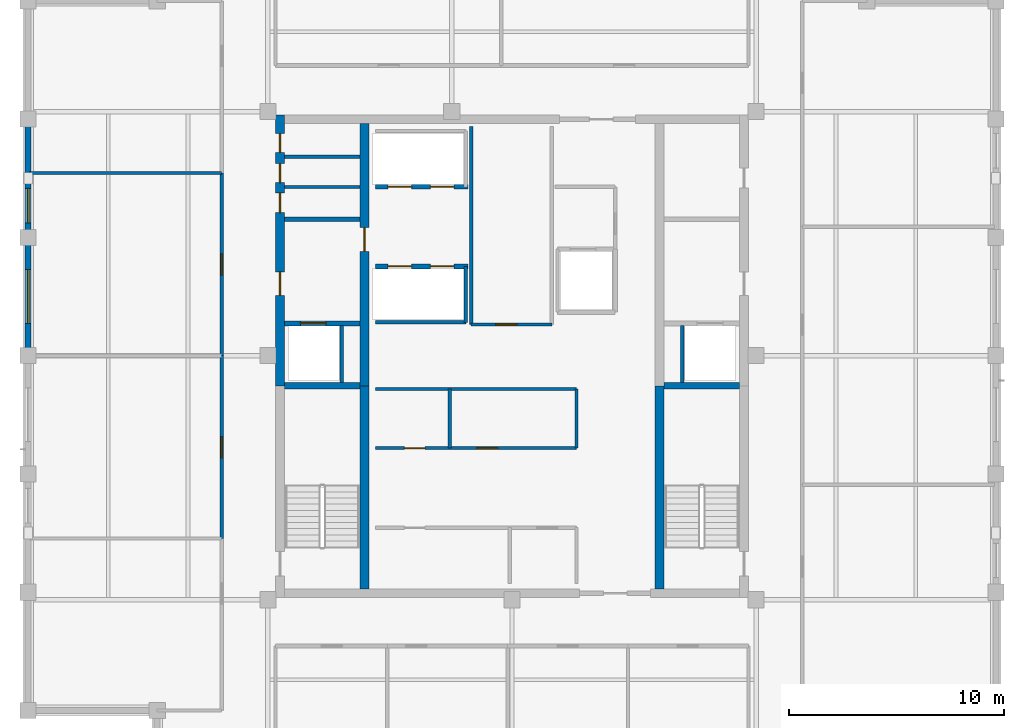
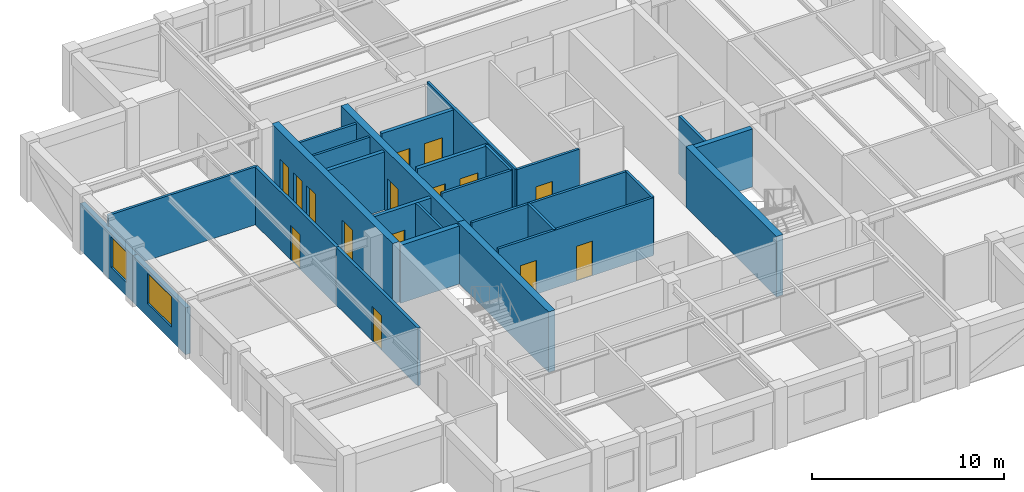
# One storey, part 6 of 9: 27 walls, 15 doors, 2 windows, 17 openings.
"""IFC4 building model written with IfcOpenShell, lengths in metres."""

from ifc_helpers import new_model, si_unit, direction, frame, frame_2d, origin, place, context, subcontext, project, spatial, rectangle, extrude, material, layer, layer_set, type_object, element, fill, save


model = new_model("IFC4")

# Units and contexts
model_context = context("Model", 3, precision=1e-05, world=origin(), true_north=direction((0.0, 1.0)))
body_context = subcontext(model_context, "Body", "Model", "MODEL_VIEW")
ifc_project = project(units=[si_unit("LENGTHUNIT", "METRE"), si_unit("AREAUNIT", "SQUARE_METRE"), si_unit("VOLUMEUNIT", "CUBIC_METRE"), si_unit("PLANEANGLEUNIT", "RADIAN"), si_unit("MASSUNIT", "GRAM", prefix="KILO")], contexts=[model_context])

# Site, building, storey
site_placement = place(None, origin())
site = spatial("IfcSite", under=ifc_project, at=site_placement, CompositionType="ELEMENT")
building_placement = place(site_placement, origin())
building = spatial("IfcBuilding", under=site, at=building_placement, Name="Nhamokura Convention Tower", CompositionType="ELEMENT")
storey_placement = place(building_placement, frame((0.0, 0.0, 269.85009765625)))
storey = spatial("IfcBuildingStorey", under=building, at=storey_placement, Name="L66", CompositionType="ELEMENT", Elevation=269.85009765625)

# Wall
ifc_material_1 = material(Name="Moisture-resistant tile-backer partition", Category="masonry")
ifc_layer_1 = layer(ifc_material_1, 0.139892578125)
ifc_layer_set_1 = layer_set([ifc_layer_1], Name="BathroomWetWall_140")
wall_type_1 = type_object("IfcWallType", Name="BathroomWetWall_140", PredefinedType="STANDARD", material=ifc_layer_set_1)
wall_1_placement = place(storey_placement, frame((21.409912109375, 39.85009765625, 0.0), z_axis=(0.0, 0.0, 1.0), x_axis=(1.0, 0.0, 0.0)))
element("IfcWall", 1, at=wall_1_placement, inside=storey, type_object=wall_type_1, Name="L66 Wall INT-L66-CWNW1", PredefinedType="STANDARD", context=body_context, shape_type="SweptSolid", body=[
    extrude(rectangle(XDim=3.530029296875, YDim=0.139892578125, at=frame_2d((1.76513671875, 0.0))), origin(), (0.0, 0.0, 1.0), 3.684814453125),
])

# Wall, opening, window
ifc_material_2 = material(Name="Bronze-pigmented precast concrete C45/55", Category="concrete")
ifc_layer_2 = layer(ifc_material_2, 0.280029296875)
ifc_layer_set_2 = layer_set([ifc_layer_2], Name="BronzePrecastSpandrel_280")
wall_type_2 = type_object("IfcWallType", Name="BronzePrecastSpandrel_280", PredefinedType="USERDEFINED", material=ifc_layer_set_2)
wall_2_placement = place(storey_placement, frame((9.5, 32.0, 0.0), z_axis=(0.0, 0.0, 1.0), x_axis=(0.0, 1.0, 0.0)))
wall_2 = element("IfcWall", 2, at=wall_2_placement, inside=storey, type_object=wall_type_2, Name="L66 Masonry-Frame Wall WEST 3", ObjectType="SPANDREL_WALL", PredefinedType="USERDEFINED", context=body_context, shape_type="SweptSolid", body=[
    extrude(rectangle(XDim=5.5, YDim=0.280029296875, at=frame_2d((2.75, 0.0))), origin(), (0.0, 0.0, 1.0), 2.98486328125),
])
opening_1_placement = place(wall_2_placement, frame((1.5, 0.0, 0.85009765625)))
opening_1 = element("IfcOpeningElement", 3, at=opening_1_placement, cuts=wall_2, Name="Opening W-09", PredefinedType="OPENING", context=body_context, shape_type="SweptSolid", body=[
    extrude(rectangle(XDim=2.5, YDim=1.93505859375, at=frame_2d((1.25, 0.967529296875))), frame((0.0, 0.14990234375, 0.0), z_axis=(0.0, -1.0, 0.0), x_axis=(1.0, 0.0, 0.0)), (0.0, 0.0, 1.0), 0.300048828125),
])
ifc_material_3 = material(Name="Solar-control bronze low-E double glass", Category="glass")
window_type_1 = type_object("IfcWindowType", Name="SummitWindow_Z4_2500", PartitioningType="DOUBLE_PANEL_VERTICAL", PredefinedType="WINDOW", material=ifc_material_3)
window_1_placement = place(opening_1_placement, origin())
window_1 = element("IfcWindow", 4, at=window_1_placement, inside=storey, type_object=window_type_1, Name="L66 Facade Window WEST 3", OverallHeight=1.93505859375, OverallWidth=2.5, PartitioningType="SINGLE_PANEL", PredefinedType="WINDOW", context=body_context, shape_type="SweptSolid", body=[
    extrude(rectangle(XDim=2.5, YDim=1.93505859375, at=frame_2d((1.25, 0.967529296875))), frame((0.0, 0.030029296875, 0.0), z_axis=(0.0, -1.0, 0.0), x_axis=(1.0, 0.0, 0.0)), (0.0, 0.0, 1.0), 0.06005859375),
])
fill(opening_1, window_1)

wall_3_placement = place(storey_placement, frame((9.5, 37.5, 0.0), z_axis=(0.0, 0.0, 1.0), x_axis=(0.0, 1.0, 0.0)))
wall_3 = element("IfcWall", 5, at=wall_3_placement, inside=storey, type_object=wall_type_2, Name="L66 Masonry-Frame Wall WEST 4", ObjectType="SPANDREL_WALL", PredefinedType="USERDEFINED", context=body_context, shape_type="SweptSolid", body=[
    extrude(rectangle(XDim=5.5, YDim=0.280029296875, at=frame_2d((2.75, 0.0))), origin(), (0.0, 0.0, 1.0), 2.98486328125),
])
opening_2_placement = place(wall_3_placement, frame((0.675048828125, 0.0, 0.85009765625)))
opening_2 = element("IfcOpeningElement", 6, at=opening_2_placement, cuts=wall_3, Name="Opening W-11", PredefinedType="OPENING", context=body_context, shape_type="SweptSolid", body=[
    extrude(rectangle(XDim=1.60009765625, YDim=1.93505859375, at=frame_2d((0.800048828125, 0.967529296875))), frame((0.0, 0.14990234375, 0.0), z_axis=(0.0, -1.0, 0.0), x_axis=(1.0, 0.0, 0.0)), (0.0, 0.0, 1.0), 0.300048828125),
])
ifc_material_4 = material(Name="Solar-control bronze low-E double glass", Category="glass")
window_type_2 = type_object("IfcWindowType", Name="NotchCornerWindow_1600", PartitioningType="SINGLE_PANEL", PredefinedType="WINDOW", material=ifc_material_4)
window_2_placement = place(opening_2_placement, origin())
window_2 = element("IfcWindow", 7, at=window_2_placement, inside=storey, type_object=window_type_2, Name="L66 Facade Window WEST 4-1", OverallHeight=1.93505859375, OverallWidth=1.60009765625, PartitioningType="SINGLE_PANEL", PredefinedType="WINDOW", context=body_context, shape_type="SweptSolid", body=[
    extrude(rectangle(XDim=1.60009765625, YDim=1.93505859375, at=frame_2d((0.800048828125, 0.967529296875))), frame((0.0, 0.030029296875, 0.0), z_axis=(0.0, -1.0, 0.0), x_axis=(1.0, 0.0, 0.0)), (0.0, 0.0, 1.0), 0.06005859375),
])
fill(opening_2, window_2)

# Wall, openings, doors
ifc_material_5 = material(Name="Concrete C50/60", Category="concrete")
ifc_layer_3 = layer(ifc_material_5, 0.39990234375)
ifc_layer_set_3 = layer_set([ifc_layer_3], Name="CoreShearWall_400")
wall_type_3 = type_object("IfcWallType", Name="CoreShearWall_400", PredefinedType="SHEAR", material=ifc_layer_set_3)
wall_4_placement = place(storey_placement, frame((21.2099609375, 30.60009765625, 0.0), z_axis=(0.0, 0.0, 1.0), x_axis=(0.0, 1.0, 0.0)))
wall_4 = element("IfcWall", 8, at=wall_4_placement, inside=storey, type_object=wall_type_3, Name="L66 Core Shear Wall CW-WN", PredefinedType="SHEAR", context=body_context, shape_type="SweptSolid", body=[
    extrude(rectangle(XDim=12.599853515625, YDim=0.39990234375, at=frame_2d((6.2998046875, 0.0))), origin(), (0.0, 0.0, 1.0), 3.849853515625),
])
opening_3_placement = place(wall_4_placement, frame((4.199951171875, 0.0, 0.0)))
opening_3 = element("IfcOpeningElement", 9, at=opening_3_placement, cuts=wall_4, Name="Opening D-05", PredefinedType="OPENING", context=body_context, shape_type="SweptSolid", body=[
    extrude(rectangle(XDim=1.10009765625, YDim=2.14990234375, at=frame_2d((0.550048828125, 1.074951171875))), frame((0.0, 0.2099609375, 0.0), z_axis=(0.0, -1.0, 0.0), x_axis=(1.0, 0.0, 0.0)), (0.0, 0.0, 1.0), 0.419921875),
])
opening_4_placement = place(wall_4_placement, frame((8.050048828125, 0.0, 0.0)))
opening_4 = element("IfcOpeningElement", 10, at=opening_4_placement, cuts=wall_4, Name="Opening D-10", PredefinedType="OPENING", context=body_context, shape_type="SweptSolid", body=[
    extrude(rectangle(XDim=0.919921875, YDim=2.10009765625, at=frame_2d((0.4599609375, 1.050048828125))), frame((0.0, 0.2099609375, 0.0), z_axis=(0.0, -1.0, 0.0), x_axis=(1.0, 0.0, 0.0)), (0.0, 0.0, 1.0), 0.419921875),
])
opening_5_placement = place(wall_4_placement, frame((9.449951171875, 0.0, 0.0)))
opening_5 = element("IfcOpeningElement", 11, at=opening_5_placement, cuts=wall_4, Name="Opening D-11", PredefinedType="OPENING", context=body_context, shape_type="SweptSolid", body=[
    extrude(rectangle(XDim=0.8798828125, YDim=2.10009765625, at=frame_2d((0.43994140625, 1.050048828125))), frame((0.0, 0.2099609375, 0.0), z_axis=(0.0, -1.0, 0.0), x_axis=(1.0, 0.0, 0.0)), (0.0, 0.0, 1.0), 0.419921875),
])
opening_6_placement = place(wall_4_placement, frame((10.85009765625, 0.0, 0.0)))
opening_6 = element("IfcOpeningElement", 12, at=opening_6_placement, cuts=wall_4, Name="Opening D-11", PredefinedType="OPENING", context=body_context, shape_type="SweptSolid", body=[
    extrude(rectangle(XDim=0.8798828125, YDim=2.10009765625, at=frame_2d((0.43994140625, 1.050048828125))), frame((0.0, 0.2099609375, 0.0), z_axis=(0.0, -1.0, 0.0), x_axis=(1.0, 0.0, 0.0)), (0.0, 0.0, 1.0), 0.419921875),
])
ifc_material_6 = material(Name="Solid oak hardwood", Category="wood")
door_type_1 = type_object("IfcDoorType", Name="AccessibleWCDoor_920", OperationType="NOTDEFINED", PredefinedType="DOOR", material=ifc_material_6)
door_1_placement = place(opening_4_placement, origin())
door_1 = element("IfcDoor", 13, at=door_1_placement, inside=storey, type_object=door_type_1, Name="L66 Core Door INT-L66-D-AWC", OperationType="SINGLE_SWING_LEFT", OverallHeight=2.10009765625, OverallWidth=0.919921875, PredefinedType="DOOR", context=body_context, shape_type="SweptSolid", body=[
    extrude(rectangle(XDim=0.919921875, YDim=2.10009765625, at=frame_2d((0.4599609375, 1.050048828125))), frame((0.0, 0.02490234375, 0.0), z_axis=(0.0, -1.0, 0.0), x_axis=(1.0, 0.0, 0.0)), (0.0, 0.0, 1.0), 0.050048828125),
])
fill(opening_4, door_1)
ifc_material_7 = material(Name="Solid oak hardwood", Category="wood")
door_type_2 = type_object("IfcDoorType", Name="BathroomDoor_880", OperationType="NOTDEFINED", PredefinedType="DOOR", material=ifc_material_7)
door_2_placement = place(opening_5_placement, origin())
door_2 = element("IfcDoor", 14, at=door_2_placement, inside=storey, type_object=door_type_2, Name="L66 Core Door INT-L66-D-CLN", OperationType="SINGLE_SWING_RIGHT", OverallHeight=2.10009765625, OverallWidth=0.8798828125, PredefinedType="DOOR", context=body_context, shape_type="SweptSolid", body=[
    extrude(rectangle(XDim=0.8798828125, YDim=2.10009765625, at=frame_2d((0.43994140625, 1.050048828125))), frame((0.0, 0.02490234375, 0.0), z_axis=(0.0, -1.0, 0.0), x_axis=(1.0, 0.0, 0.0)), (0.0, 0.0, 1.0), 0.050048828125),
])
fill(opening_5, door_2)
door_3_placement = place(opening_6_placement, origin())
door_3 = element("IfcDoor", 15, at=door_3_placement, inside=storey, type_object=door_type_2, Name="L66 Core Door INT-L66-D-PNT", OperationType="SINGLE_SWING_LEFT", OverallHeight=2.10009765625, OverallWidth=0.8798828125, PredefinedType="DOOR", context=body_context, shape_type="SweptSolid", body=[
    extrude(rectangle(XDim=0.8798828125, YDim=2.10009765625, at=frame_2d((0.43994140625, 1.050048828125))), frame((0.0, 0.02490234375, 0.0), z_axis=(0.0, -1.0, 0.0), x_axis=(1.0, 0.0, 0.0)), (0.0, 0.0, 1.0), 0.050048828125),
])
fill(opening_6, door_3)
ifc_material_8 = material(Name="Fire-rated steel door", Category="steel")
door_type_3 = type_object("IfcDoorType", Name="FireLobbyDoor_1100", OperationType="NOTDEFINED", PredefinedType="DOOR", material=ifc_material_8)
door_4_placement = place(opening_3_placement, origin())
door_4 = element("IfcDoor", 16, at=door_4_placement, inside=storey, type_object=door_type_3, Name="L66 Core Door INT-L66-D-FFLW", OperationType="SINGLE_SWING_RIGHT", OverallHeight=2.14990234375, OverallWidth=1.10009765625, PredefinedType="DOOR", context=body_context, shape_type="SweptSolid", body=[
    extrude(rectangle(XDim=1.10009765625, YDim=2.14990234375, at=frame_2d((0.550048828125, 1.074951171875))), frame((0.0, 0.02490234375, 0.0), z_axis=(0.0, -1.0, 0.0), x_axis=(1.0, 0.0, 0.0)), (0.0, 0.0, 1.0), 0.050048828125),
])
fill(opening_3, door_4)

# Wall
wall_5_placement = place(storey_placement, frame((25.139892578125, 21.14990234375, 0.0), z_axis=(0.0, 0.0, 1.0), x_axis=(0.0, 1.0, 0.0)))
element("IfcWall", 17, at=wall_5_placement, inside=storey, type_object=wall_type_3, Name="L66 Core Shear Wall CW-IWS", PredefinedType="SHEAR", context=body_context, shape_type="SweptSolid", body=[
    extrude(rectangle(XDim=9.4501953125, YDim=0.39990234375, at=frame_2d((4.72509765625, 0.0))), origin(), (0.0, 0.0, 1.0), 3.849853515625),
])

# Wall, opening, door
wall_6_placement = place(storey_placement, frame((25.139892578125, 30.60009765625, 0.0), z_axis=(0.0, 0.0, 1.0), x_axis=(0.0, 1.0, 0.0)))
wall_6 = element("IfcWall", 18, at=wall_6_placement, inside=storey, type_object=wall_type_3, Name="L66 Core Shear Wall CW-IWN", PredefinedType="SHEAR", context=body_context, shape_type="SweptSolid", body=[
    extrude(rectangle(XDim=12.199951171875, YDim=0.39990234375, at=frame_2d((6.10009765625, 0.0))), origin(), (0.0, 0.0, 1.0), 3.849853515625),
])
opening_7_placement = place(wall_6_placement, frame((6.25, 0.0, 0.0)))
opening_7 = element("IfcOpeningElement", 19, at=opening_7_placement, cuts=wall_6, Name="Opening D-05", PredefinedType="OPENING", context=body_context, shape_type="SweptSolid", body=[
    extrude(rectangle(XDim=1.10009765625, YDim=2.14990234375, at=frame_2d((0.550048828125, 1.074951171875))), frame((0.0, 0.2099609375, 0.0), z_axis=(0.0, -1.0, 0.0), x_axis=(1.0, 0.0, 0.0)), (0.0, 0.0, 1.0), 0.419921875),
])
door_5_placement = place(opening_7_placement, origin())
door_5 = element("IfcDoor", 20, at=door_5_placement, inside=storey, type_object=door_type_3, Name="L66 Core Door INT-L66-D-B3LOB", OperationType="SINGLE_SWING_LEFT", OverallHeight=2.14990234375, OverallWidth=1.10009765625, PredefinedType="DOOR", context=body_context, shape_type="SweptSolid", body=[
    extrude(rectangle(XDim=1.10009765625, YDim=2.14990234375, at=frame_2d((0.550048828125, 1.074951171875))), frame((0.0, 0.02490234375, 0.0), z_axis=(0.0, -1.0, 0.0), x_axis=(1.0, 0.0, 0.0)), (0.0, 0.0, 1.0), 0.050048828125),
])
fill(opening_7, door_5)

# Wall
wall_7_placement = place(storey_placement, frame((38.860107421875, 21.14990234375, 0.0), z_axis=(0.0, 0.0, 1.0), x_axis=(0.0, 1.0, 0.0)))
element("IfcWall", 21, at=wall_7_placement, inside=storey, type_object=wall_type_3, Name="L66 Core Shear Wall CW-IES", PredefinedType="SHEAR", context=body_context, shape_type="SweptSolid", body=[
    extrude(rectangle(XDim=9.4501953125, YDim=0.39990234375, at=frame_2d((4.72509765625, 0.0))), origin(), (0.0, 0.0, 1.0), 3.849853515625),
])

# Wall, opening, door
ifc_material_9 = material(Name="Fire-rated gypsum and masonry partition", Category="masonry")
ifc_layer_4 = layer(ifc_material_9, 0.179931640625)
ifc_layer_set_4 = layer_set([ifc_layer_4], Name="CorridorRatedWall_180")
wall_type_4 = type_object("IfcWallType", Name="CorridorRatedWall_180", PredefinedType="STANDARD", material=ifc_layer_set_4)
wall_8_placement = place(storey_placement, frame((18.5, 23.5, 0.0), z_axis=(0.0, 0.0, 1.0), x_axis=(0.0, 1.0, 0.0)))
wall_8 = element("IfcWall", 22, at=wall_8_placement, inside=storey, type_object=wall_type_4, Name="L66 Wall INT-L66-CW-W01", PredefinedType="STANDARD", context=body_context, shape_type="SweptSolid", body=[
    extrude(rectangle(XDim=8.5, YDim=0.179931640625, at=frame_2d((4.25, 0.0))), origin(), (0.0, 0.0, 1.0), 3.684814453125),
])
opening_8_placement = place(wall_8_placement, frame((3.75, 0.0, 0.0)))
opening_8 = element("IfcOpeningElement", 23, at=opening_8_placement, cuts=wall_8, Name="Opening D-08", PredefinedType="OPENING", context=body_context, shape_type="SweptSolid", body=[
    extrude(rectangle(XDim=0.97998046875, YDim=2.199951171875, at=frame_2d((0.489990234375, 1.10009765625))), frame((0.0, 0.099853515625, 0.0), z_axis=(0.0, -1.0, 0.0), x_axis=(1.0, 0.0, 0.0)), (0.0, 0.0, 1.0), 0.199951171875),
])
ifc_material_10 = material(Name="Solid oak hardwood", Category="wood")
door_type_4 = type_object("IfcDoorType", Name="OfficeEntryDoor_980", OperationType="NOTDEFINED", PredefinedType="DOOR", material=ifc_material_10)
door_6_placement = place(opening_8_placement, origin())
door_6 = element("IfcDoor", 24, at=door_6_placement, inside=storey, type_object=door_type_4, Name="L66 Private Office W02 Door", OperationType="SINGLE_SWING_RIGHT", OverallHeight=2.199951171875, OverallWidth=0.97998046875, PredefinedType="DOOR", context=body_context, shape_type="SweptSolid", body=[
    extrude(rectangle(XDim=0.97998046875, YDim=2.199951171875, at=frame_2d((0.489990234375, 1.10009765625))), frame((0.0, 0.02490234375, 0.0), z_axis=(0.0, -1.0, 0.0), x_axis=(1.0, 0.0, 0.0)), (0.0, 0.0, 1.0), 0.050048828125),
])
fill(opening_8, door_6)

wall_9_placement = place(storey_placement, frame((18.5, 32.0, 0.0), z_axis=(0.0, 0.0, 1.0), x_axis=(0.0, 1.0, 0.0)))
wall_9 = element("IfcWall", 25, at=wall_9_placement, inside=storey, type_object=wall_type_4, Name="L66 Wall INT-L66-CW-W02", PredefinedType="STANDARD", context=body_context, shape_type="SweptSolid", body=[
    extrude(rectangle(XDim=8.5, YDim=0.179931640625, at=frame_2d((4.25, 0.0))), origin(), (0.0, 0.0, 1.0), 3.684814453125),
])
opening_9_placement = place(wall_9_placement, frame((3.75, 0.0, 0.0)))
opening_9 = element("IfcOpeningElement", 26, at=opening_9_placement, cuts=wall_9, Name="Opening D-08", PredefinedType="OPENING", context=body_context, shape_type="SweptSolid", body=[
    extrude(rectangle(XDim=0.97998046875, YDim=2.199951171875, at=frame_2d((0.489990234375, 1.10009765625))), frame((0.0, 0.099853515625, 0.0), z_axis=(0.0, -1.0, 0.0), x_axis=(1.0, 0.0, 0.0)), (0.0, 0.0, 1.0), 0.199951171875),
])
door_7_placement = place(opening_9_placement, origin())
door_7 = element("IfcDoor", 27, at=door_7_placement, inside=storey, type_object=door_type_4, Name="L66 Boardroom W03 Door", OperationType="SINGLE_SWING_LEFT", OverallHeight=2.199951171875, OverallWidth=0.97998046875, PredefinedType="DOOR", context=body_context, shape_type="SweptSolid", body=[
    extrude(rectangle(XDim=0.97998046875, YDim=2.199951171875, at=frame_2d((0.489990234375, 1.10009765625))), frame((0.0, 0.02490234375, 0.0), z_axis=(0.0, -1.0, 0.0), x_axis=(1.0, 0.0, 0.0)), (0.0, 0.0, 1.0), 0.050048828125),
])
fill(opening_9, door_7)

ifc_material_11 = material(Name="Autoclaved concrete blockwork", Category="masonry")
ifc_layer_5 = layer(ifc_material_11, 0.219970703125)
ifc_layer_set_5 = layer_set([ifc_layer_5], Name="FireLobbyWall_220")
wall_type_5 = type_object("IfcWallType", Name="FireLobbyWall_220", PredefinedType="STANDARD", material=ifc_layer_set_5)
wall_10_placement = place(storey_placement, frame((21.409912109375, 33.5, 0.0), z_axis=(0.0, 0.0, 1.0), x_axis=(1.0, 0.0, 0.0)))
wall_10 = element("IfcWall", 28, at=wall_10_placement, inside=storey, type_object=wall_type_5, Name="L66 Wall INT-L66-FFW-S", PredefinedType="STANDARD", context=body_context, shape_type="SweptSolid", body=[
    extrude(rectangle(XDim=3.530029296875, YDim=0.219970703125, at=frame_2d((1.76513671875, 0.0))), origin(), (0.0, 0.0, 1.0), 3.684814453125),
])
opening_10_placement = place(wall_10_placement, frame((0.75, 0.0, 0.0)))
opening_10 = element("IfcOpeningElement", 29, at=opening_10_placement, cuts=wall_10, Name="Opening LD-02", PredefinedType="OPENING", context=body_context, shape_type="SweptSolid", body=[
    extrude(rectangle(XDim=1.199951171875, YDim=2.199951171875, at=frame_2d((0.60009765625, 1.10009765625))), frame((0.0, 0.119873046875, 0.0), z_axis=(0.0, -1.0, 0.0), x_axis=(1.0, 0.0, 0.0)), (0.0, 0.0, 1.0), 0.239990234375),
])
ifc_material_12 = material(Name="Anodised bronze stainless steel", Category="steel")
door_type_5 = type_object("IfcDoorType", Name="LiftLandingDoor_FireService", OperationType="DOUBLE_DOOR_SLIDING", PredefinedType="DOOR", material=ifc_material_12)
door_8_placement = place(opening_10_placement, origin())
door_8 = element("IfcDoor", 30, at=door_8_placement, inside=storey, type_object=door_type_5, Name="L66 Firefighting Lift LF-01 Door", OperationType="DOUBLE_DOOR_SLIDING", OverallHeight=2.199951171875, OverallWidth=1.199951171875, PredefinedType="DOOR", context=body_context, shape_type="SweptSolid", body=[
    extrude(rectangle(XDim=1.199951171875, YDim=2.199951171875, at=frame_2d((0.60009765625, 1.10009765625))), frame((0.0, 0.02490234375, 0.0), z_axis=(0.0, -1.0, 0.0), x_axis=(1.0, 0.0, 0.0)), (0.0, 0.0, 1.0), 0.050048828125),
])
fill(opening_10, door_8)

# Wall
wall_11_placement = place(storey_placement, frame((21.409912109375, 38.35009765625, 0.0), z_axis=(0.0, 0.0, 1.0), x_axis=(1.0, 0.0, 0.0)))
element("IfcWall", 31, at=wall_11_placement, inside=storey, type_object=wall_type_5, Name="L66 Wall INT-L66-FFW-N", PredefinedType="STANDARD", context=body_context, shape_type="SweptSolid", body=[
    extrude(rectangle(XDim=3.530029296875, YDim=0.219970703125, at=frame_2d((1.76513671875, 0.0))), origin(), (0.0, 0.0, 1.0), 3.684814453125),
])

# Wall, openings, doors
wall_12_placement = place(storey_placement, frame((25.64990234375, 36.14990234375, 0.0), z_axis=(0.0, 0.0, 1.0), x_axis=(1.0, 0.0, 0.0)))
wall_12 = element("IfcWall", 32, at=wall_12_placement, inside=storey, type_object=wall_type_5, Name="L66 Wall INT-L66-B3S", PredefinedType="STANDARD", context=body_context, shape_type="SweptSolid", body=[
    extrude(rectangle(XDim=4.300048828125, YDim=0.219970703125, at=frame_2d((2.14990234375, 0.0))), origin(), (0.0, 0.0, 1.0), 3.684814453125),
])
opening_11_placement = place(wall_12_placement, frame((0.580078125, 0.0, 0.0)))
opening_11 = element("IfcOpeningElement", 33, at=opening_11_placement, cuts=wall_12, Name="Opening LD-01", PredefinedType="OPENING", context=body_context, shape_type="SweptSolid", body=[
    extrude(rectangle(XDim=1.10009765625, YDim=2.14990234375, at=frame_2d((0.550048828125, 1.074951171875))), frame((0.0, 0.119873046875, 0.0), z_axis=(0.0, -1.0, 0.0), x_axis=(1.0, 0.0, 0.0)), (0.0, 0.0, 1.0), 0.239990234375),
])
opening_12_placement = place(wall_12_placement, frame((2.550048828125, 0.0, 0.0)))
opening_12 = element("IfcOpeningElement", 34, at=opening_12_placement, cuts=wall_12, Name="Opening LD-01", PredefinedType="OPENING", context=body_context, shape_type="SweptSolid", body=[
    extrude(rectangle(XDim=1.10009765625, YDim=2.14990234375, at=frame_2d((0.550048828125, 1.074951171875))), frame((0.0, 0.119873046875, 0.0), z_axis=(0.0, -1.0, 0.0), x_axis=(1.0, 0.0, 0.0)), (0.0, 0.0, 1.0), 0.239990234375),
])
ifc_material_13 = material(Name="Anodised bronze stainless steel", Category="steel")
door_type_6 = type_object("IfcDoorType", Name="LiftLandingDoor_Passenger", OperationType="DOUBLE_DOOR_SLIDING", PredefinedType="DOOR", material=ifc_material_13)
door_9_placement = place(opening_11_placement, origin())
door_9 = element("IfcDoor", 35, at=door_9_placement, inside=storey, type_object=door_type_6, Name="L66 Lift LP-09 Door", OperationType="DOUBLE_DOOR_SLIDING", OverallHeight=2.14990234375, OverallWidth=1.10009765625, PredefinedType="DOOR", context=body_context, shape_type="SweptSolid", body=[
    extrude(rectangle(XDim=1.10009765625, YDim=2.14990234375, at=frame_2d((0.550048828125, 1.074951171875))), frame((0.0, 0.02490234375, 0.0), z_axis=(0.0, -1.0, 0.0), x_axis=(1.0, 0.0, 0.0)), (0.0, 0.0, 1.0), 0.050048828125),
])
fill(opening_11, door_9)
door_10_placement = place(opening_12_placement, origin())
door_10 = element("IfcDoor", 36, at=door_10_placement, inside=storey, type_object=door_type_6, Name="L66 Lift LP-10 Door", OperationType="DOUBLE_DOOR_SLIDING", OverallHeight=2.14990234375, OverallWidth=1.10009765625, PredefinedType="DOOR", context=body_context, shape_type="SweptSolid", body=[
    extrude(rectangle(XDim=1.10009765625, YDim=2.14990234375, at=frame_2d((0.550048828125, 1.074951171875))), frame((0.0, 0.02490234375, 0.0), z_axis=(0.0, -1.0, 0.0), x_axis=(1.0, 0.0, 0.0)), (0.0, 0.0, 1.0), 0.050048828125),
])
fill(opening_12, door_10)

wall_13_placement = place(storey_placement, frame((25.64990234375, 39.85009765625, 0.0), z_axis=(0.0, 0.0, 1.0), x_axis=(1.0, 0.0, 0.0)))
wall_13 = element("IfcWall", 37, at=wall_13_placement, inside=storey, type_object=wall_type_5, Name="L66 Wall INT-L66-B3N", PredefinedType="STANDARD", context=body_context, shape_type="SweptSolid", body=[
    extrude(rectangle(XDim=4.300048828125, YDim=0.219970703125, at=frame_2d((2.14990234375, 0.0))), origin(), (0.0, 0.0, 1.0), 3.684814453125),
])
opening_13_placement = place(wall_13_placement, frame((0.580078125, 0.0, 0.0)))
opening_13 = element("IfcOpeningElement", 38, at=opening_13_placement, cuts=wall_13, Name="Opening LD-01", PredefinedType="OPENING", context=body_context, shape_type="SweptSolid", body=[
    extrude(rectangle(XDim=1.10009765625, YDim=2.14990234375, at=frame_2d((0.550048828125, 1.074951171875))), frame((0.0, 0.119873046875, 0.0), z_axis=(0.0, -1.0, 0.0), x_axis=(1.0, 0.0, 0.0)), (0.0, 0.0, 1.0), 0.239990234375),
])
opening_14_placement = place(wall_13_placement, frame((2.550048828125, 0.0, 0.0)))
opening_14 = element("IfcOpeningElement", 39, at=opening_14_placement, cuts=wall_13, Name="Opening LD-01", PredefinedType="OPENING", context=body_context, shape_type="SweptSolid", body=[
    extrude(rectangle(XDim=1.10009765625, YDim=2.14990234375, at=frame_2d((0.550048828125, 1.074951171875))), frame((0.0, 0.119873046875, 0.0), z_axis=(0.0, -1.0, 0.0), x_axis=(1.0, 0.0, 0.0)), (0.0, 0.0, 1.0), 0.239990234375),
])
door_11_placement = place(opening_13_placement, origin())
door_11 = element("IfcDoor", 40, at=door_11_placement, inside=storey, type_object=door_type_6, Name="L66 Lift LP-11 Door", OperationType="DOUBLE_DOOR_SLIDING", OverallHeight=2.14990234375, OverallWidth=1.10009765625, PredefinedType="DOOR", context=body_context, shape_type="SweptSolid", body=[
    extrude(rectangle(XDim=1.10009765625, YDim=2.14990234375, at=frame_2d((0.550048828125, 1.074951171875))), frame((0.0, 0.02490234375, 0.0), z_axis=(0.0, -1.0, 0.0), x_axis=(1.0, 0.0, 0.0)), (0.0, 0.0, 1.0), 0.050048828125),
])
fill(opening_13, door_11)
door_12_placement = place(opening_14_placement, origin())
door_12 = element("IfcDoor", 41, at=door_12_placement, inside=storey, type_object=door_type_6, Name="L66 Lift LP-12 Door", OperationType="DOUBLE_DOOR_SLIDING", OverallHeight=2.14990234375, OverallWidth=1.10009765625, PredefinedType="DOOR", context=body_context, shape_type="SweptSolid", body=[
    extrude(rectangle(XDim=1.10009765625, YDim=2.14990234375, at=frame_2d((0.550048828125, 1.074951171875))), frame((0.0, 0.02490234375, 0.0), z_axis=(0.0, -1.0, 0.0), x_axis=(1.0, 0.0, 0.0)), (0.0, 0.0, 1.0), 0.050048828125),
])
fill(opening_14, door_12)

# Walls
ifc_material_14 = material(Name="Acoustic gypsum stud partition", Category="masonry")
ifc_layer_6 = layer(ifc_material_14, 0.14990234375)
ifc_layer_set_6 = layer_set([ifc_layer_6], Name="InteriorPartition_150")
wall_type_6 = type_object("IfcWallType", Name="InteriorPartition_150", PredefinedType="STANDARD", material=ifc_layer_set_6)
for number, where, z_axis, x_axis, name in (
    (42, (24.080078125, 30.75, 0.0), (0.0, 0.0, 1.0), (0.0, 1.0, 0.0), "L66 Wall INT-L66-FF1-E"),
    (43, (39.919921875, 30.75, 0.0), (0.0, 0.0, 1.0), (0.0, 1.0, 0.0), "L66 Wall INT-L66-FF2-W"),
):
    element("IfcWall", number, at=place(storey_placement, frame(where, z_axis=z_axis, x_axis=x_axis)), inside=storey, type_object=wall_type_6, Name=name, PredefinedType="STANDARD", context=body_context, shape_type="SweptSolid", body=[
        extrude(rectangle(XDim=2.64990234375, YDim=0.14990234375, at=frame_2d((1.324951171875, 0.0))), origin(), (0.0, 0.0, 1.0), 3.684814453125),
    ])
wall_14_placement = place(storey_placement, frame((21.409912109375, 41.25, 0.0), z_axis=(0.0, 0.0, 1.0), x_axis=(1.0, 0.0, 0.0)))
element("IfcWall", 44, at=wall_14_placement, inside=storey, type_object=wall_type_6, Name="L66 Wall INT-L66-CWNW2", PredefinedType="STANDARD", context=body_context, shape_type="SweptSolid", body=[
    extrude(rectangle(XDim=3.530029296875, YDim=0.14990234375, at=frame_2d((1.76513671875, 0.0))), origin(), (0.0, 0.0, 1.0), 3.684814453125),
])

# Wall, openings, doors
wall_15_placement = place(storey_placement, frame((25.64990234375, 27.699951171875, 0.0), z_axis=(0.0, 0.0, 1.0), x_axis=(1.0, 0.0, 0.0)))
wall_15 = element("IfcWall", 45, at=wall_15_placement, inside=storey, type_object=wall_type_6, Name="L66 Wall INT-L66-B2R-S", PredefinedType="STANDARD", context=body_context, shape_type="SweptSolid", body=[
    extrude(rectangle(XDim=9.35009765625, YDim=0.14990234375, at=frame_2d((4.675048828125, 0.0))), origin(), (0.0, 0.0, 1.0), 3.684814453125),
])
opening_15_placement = place(wall_15_placement, frame((1.35009765625, 0.0, 0.0)))
opening_15 = element("IfcOpeningElement", 46, at=opening_15_placement, cuts=wall_15, Name="Opening D-09", PredefinedType="OPENING", context=body_context, shape_type="SweptSolid", body=[
    extrude(rectangle(XDim=0.949951171875, YDim=2.14990234375, at=frame_2d((0.47509765625, 1.074951171875))), frame((0.0, 0.0849609375, 0.0), z_axis=(0.0, -1.0, 0.0), x_axis=(1.0, 0.0, 0.0)), (0.0, 0.0, 1.0), 0.169921875),
])
opening_16_placement = place(wall_15_placement, frame((4.699951171875, 0.0, 0.0)))
opening_16 = element("IfcOpeningElement", 47, at=opening_16_placement, cuts=wall_15, Name="Opening D-08", PredefinedType="OPENING", context=body_context, shape_type="SweptSolid", body=[
    extrude(rectangle(XDim=0.97998046875, YDim=2.199951171875, at=frame_2d((0.489990234375, 1.10009765625))), frame((0.0, 0.0849609375, 0.0), z_axis=(0.0, -1.0, 0.0), x_axis=(1.0, 0.0, 0.0)), (0.0, 0.0, 1.0), 0.169921875),
])
ifc_material_15 = material(Name="Solid oak hardwood", Category="wood")
door_type_7 = type_object("IfcDoorType", Name="MeetingRoomDoor_950", OperationType="NOTDEFINED", PredefinedType="DOOR", material=ifc_material_15)
door_13_placement = place(opening_15_placement, origin())
door_13 = element("IfcDoor", 48, at=door_13_placement, inside=storey, type_object=door_type_7, Name="L66 Caucus Suite Door", OperationType="SINGLE_SWING_LEFT", OverallHeight=2.14990234375, OverallWidth=0.949951171875, PredefinedType="DOOR", context=body_context, shape_type="SweptSolid", body=[
    extrude(rectangle(XDim=0.949951171875, YDim=2.14990234375, at=frame_2d((0.47509765625, 1.074951171875))), frame((0.0, 0.02490234375, 0.0), z_axis=(0.0, -1.0, 0.0), x_axis=(1.0, 0.0, 0.0)), (0.0, 0.0, 1.0), 0.050048828125),
])
fill(opening_15, door_13)
door_14_placement = place(opening_16_placement, origin())
door_14 = element("IfcDoor", 49, at=door_14_placement, inside=storey, type_object=door_type_4, Name="L66 Summit Pantry Door", OperationType="SINGLE_SWING_RIGHT", OverallHeight=2.199951171875, OverallWidth=0.97998046875, PredefinedType="DOOR", context=body_context, shape_type="SweptSolid", body=[
    extrude(rectangle(XDim=0.97998046875, YDim=2.199951171875, at=frame_2d((0.489990234375, 1.10009765625))), frame((0.0, 0.02490234375, 0.0), z_axis=(0.0, -1.0, 0.0), x_axis=(1.0, 0.0, 0.0)), (0.0, 0.0, 1.0), 0.050048828125),
])
fill(opening_16, door_14)

# Walls
wall_16_placement = place(storey_placement, frame((25.64990234375, 30.449951171875, 0.0), z_axis=(0.0, 0.0, 1.0), x_axis=(1.0, 0.0, 0.0)))
element("IfcWall", 50, at=wall_16_placement, inside=storey, type_object=wall_type_6, Name="L66 Wall INT-L66-B2R-N", PredefinedType="STANDARD", context=body_context, shape_type="SweptSolid", body=[
    extrude(rectangle(XDim=9.35009765625, YDim=0.14990234375, at=frame_2d((4.675048828125, 0.0))), origin(), (0.0, 0.0, 1.0), 3.684814453125),
])
for number, where, z_axis, x_axis, name in (
    (51, (29.10009765625, 27.699951171875, 0.0), (0.0, 0.0, 1.0), (0.0, 1.0, 0.0), "L66 Wall INT-L66-B2R-M"),
    (52, (35.0, 27.699951171875, 0.0), (0.0, 0.0, 1.0), (0.0, 1.0, 0.0), "L66 Wall INT-L66-B2R-E"),
):
    element("IfcWall", number, at=place(storey_placement, frame(where, z_axis=z_axis, x_axis=x_axis)), inside=storey, type_object=wall_type_6, Name=name, PredefinedType="STANDARD", context=body_context, shape_type="SweptSolid", body=[
        extrude(rectangle(XDim=2.75, YDim=0.14990234375, at=frame_2d((1.375, 0.0))), origin(), (0.0, 0.0, 1.0), 3.684814453125),
    ])
wall_17_placement = place(storey_placement, frame((25.64990234375, 33.550048828125, 0.0), z_axis=(0.0, 0.0, 1.0), x_axis=(1.0, 0.0, 0.0)))
element("IfcWall", 53, at=wall_17_placement, inside=storey, type_object=wall_type_6, Name="L66 Wall INT-L66-B3A-S", PredefinedType="STANDARD", context=body_context, shape_type="SweptSolid", body=[
    extrude(rectangle(XDim=4.2001953125, YDim=0.14990234375, at=frame_2d((2.10009765625, 0.0))), origin(), (0.0, 0.0, 1.0), 3.684814453125),
])
wall_18_placement = place(storey_placement, frame((29.85009765625, 33.550048828125, 0.0), z_axis=(0.0, 0.0, 1.0), x_axis=(0.0, 1.0, 0.0)))
element("IfcWall", 54, at=wall_18_placement, inside=storey, type_object=wall_type_6, Name="L66 Wall INT-L66-B3A-E", PredefinedType="STANDARD", context=body_context, shape_type="SweptSolid", body=[
    extrude(rectangle(XDim=2.599853515625, YDim=0.14990234375, at=frame_2d((1.2998046875, 0.0))), origin(), (0.0, 0.0, 1.0), 3.684814453125),
])
wall_19_placement = place(storey_placement, frame((30.10009765625, 33.449951171875, 0.0), z_axis=(0.0, 0.0, 1.0), x_axis=(0.0, 1.0, 0.0)))
element("IfcWall", 55, at=wall_19_placement, inside=storey, type_object=wall_type_6, Name="L66 Wall INT-L66-ST03W", PredefinedType="STANDARD", context=body_context, shape_type="SweptSolid", body=[
    extrude(rectangle(XDim=9.199951171875, YDim=0.14990234375, at=frame_2d((4.60009765625, 0.0))), origin(), (0.0, 0.0, 1.0), 3.684814453125),
])

# Wall, opening, door
wall_20_placement = place(storey_placement, frame((30.10009765625, 33.449951171875, 0.0), z_axis=(0.0, 0.0, 1.0), x_axis=(1.0, 0.0, 0.0)))
wall_20 = element("IfcWall", 56, at=wall_20_placement, inside=storey, type_object=wall_type_6, Name="L66 Wall INT-L66-ST03S", PredefinedType="STANDARD", context=body_context, shape_type="SweptSolid", body=[
    extrude(rectangle(XDim=3.75, YDim=0.14990234375, at=frame_2d((1.875, 0.0))), origin(), (0.0, 0.0, 1.0), 3.684814453125),
])
opening_17_placement = place(wall_20_placement, frame((1.14990234375, 0.0, 0.0)))
opening_17 = element("IfcOpeningElement", 57, at=opening_17_placement, cuts=wall_20, Name="Opening D-08", PredefinedType="OPENING", context=body_context, shape_type="SweptSolid", body=[
    extrude(rectangle(XDim=0.97998046875, YDim=2.199951171875, at=frame_2d((0.489990234375, 1.10009765625))), frame((0.0, 0.0849609375, 0.0), z_axis=(0.0, -1.0, 0.0), x_axis=(1.0, 0.0, 0.0)), (0.0, 0.0, 1.0), 0.169921875),
])
door_15_placement = place(opening_17_placement, origin())
door_15 = element("IfcDoor", 58, at=door_15_placement, inside=storey, type_object=door_type_4, Name="L66 Wellness and Records Room Door", OperationType="SINGLE_SWING_LEFT", OverallHeight=2.199951171875, OverallWidth=0.97998046875, PredefinedType="DOOR", context=body_context, shape_type="SweptSolid", body=[
    extrude(rectangle(XDim=0.97998046875, YDim=2.199951171875, at=frame_2d((0.489990234375, 1.10009765625))), frame((0.0, 0.02490234375, 0.0), z_axis=(0.0, -1.0, 0.0), x_axis=(1.0, 0.0, 0.0)), (0.0, 0.0, 1.0), 0.050048828125),
])
fill(opening_17, door_15)

# Walls
wall_21_placement = place(storey_placement, frame((9.56005859375, 40.5, 0.0), z_axis=(0.0, 0.0, 1.0), x_axis=(1.0, 0.0, 0.0)))
element("IfcWall", 59, at=wall_21_placement, inside=storey, type_object=wall_type_6, Name="L66 Wall INT-L66-RW-W03", PredefinedType="STANDARD", context=body_context, shape_type="SweptSolid", body=[
    extrude(rectangle(XDim=8.93994140625, YDim=0.14990234375, at=frame_2d((4.469970703125, 0.0))), origin(), (0.0, 0.0, 1.0), 3.684814453125),
])
ifc_material_16 = material(Name="Concrete C50/60", Category="concrete")
ifc_layer_7 = layer(ifc_material_16, 0.300048828125)
ifc_layer_set_7 = layer_set([ifc_layer_7], Name="ShaftEnclosureWall_300")
wall_type_7 = type_object("IfcWallType", Name="ShaftEnclosureWall_300", PredefinedType="SHEAR", material=ifc_layer_set_7)
for number, where, z_axis, x_axis, name in (
    (60, (21.409912109375, 30.60009765625, 0.0), (0.0, 0.0, 1.0), (1.0, 0.0, 0.0), "L66 Wall INT-L66-ST01-N"),
    (61, (39.06005859375, 30.60009765625, 0.0), (0.0, 0.0, 1.0), (1.0, 0.0, 0.0), "L66 Wall INT-L66-ST02-N"),
):
    element("IfcWall", number, at=place(storey_placement, frame(where, z_axis=z_axis, x_axis=x_axis)), inside=storey, type_object=wall_type_7, Name=name, PredefinedType="SHEAR", context=body_context, shape_type="SweptSolid", body=[
        extrude(rectangle(XDim=3.530029296875, YDim=0.300048828125, at=frame_2d((1.76513671875, 0.0))), origin(), (0.0, 0.0, 1.0), 3.684814453125),
    ])

save(model, "model.ifc")
